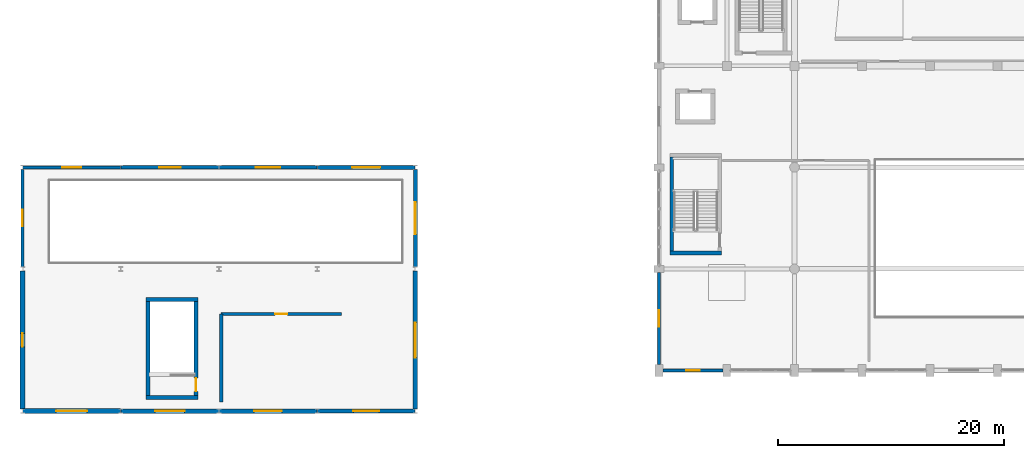
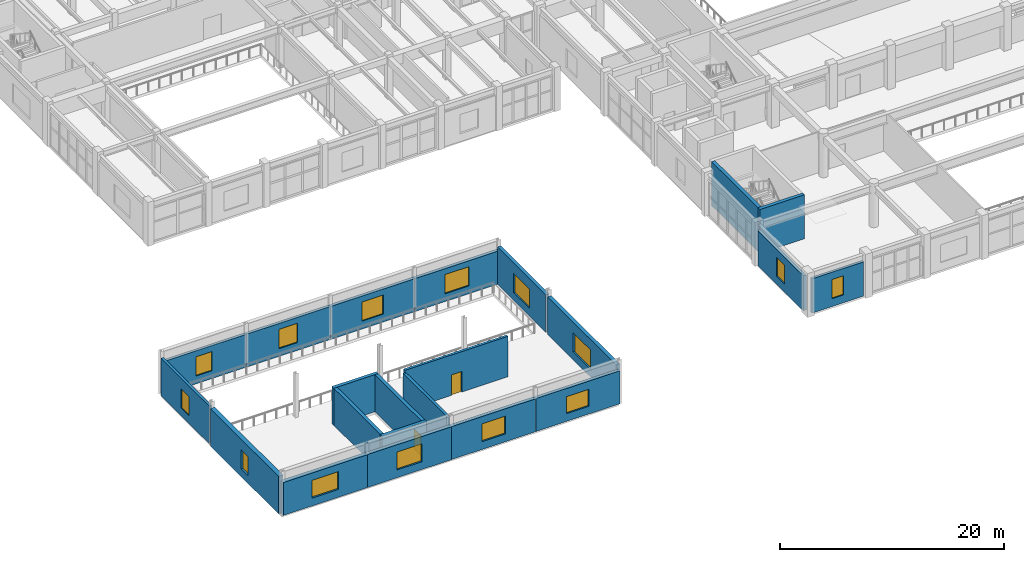
# One storey, part 67 of 96: 22 walls, 14 windows, 2 doors, 16 openings.
"""IFC4 building model written with IfcOpenShell, lengths in metres."""

from ifc_helpers import new_model, si_unit, direction, frame, frame_2d, origin, place, context, subcontext, project, spatial, rectangle, extrude, material, layer, layer_set, type_object, element, fill, save


model = new_model("IFC4")

# Units and contexts
model_context = context("Model", 3, precision=1e-05, world=origin(), true_north=direction((0.0, 1.0)))
body_context = subcontext(model_context, "Body", "Model", "MODEL_VIEW")
ifc_project = project(units=[si_unit("LENGTHUNIT", "METRE"), si_unit("AREAUNIT", "SQUARE_METRE"), si_unit("VOLUMEUNIT", "CUBIC_METRE"), si_unit("PLANEANGLEUNIT", "RADIAN"), si_unit("MASSUNIT", "GRAM", prefix="KILO")], contexts=[model_context])

# Site, building, storey
site_placement = place(None, origin())
site = spatial("IfcSite", under=ifc_project, at=site_placement, CompositionType="ELEMENT")
building_placement = place(site_placement, origin())
building = spatial("IfcBuilding", under=site, at=building_placement, Name="Vaelkrest Opera House", CompositionType="ELEMENT")
storey_placement = place(building_placement, frame((0.0, 0.0, 5.39990234375)))
storey = spatial("IfcBuildingStorey", under=building, at=storey_placement, Name="L01", CompositionType="ELEMENT", Elevation=5.39990234375)

# Wall, opening, window
ifc_material_1 = material(Name="Douglas fir glulam GL28h", Category="wood")
ifc_layer_1 = layer(ifc_material_1, 0.2548828125)
ifc_layer_set_1 = layer_set([ifc_layer_1], Name="Douglas fir glulam GL28h")
wall_type_1 = type_object("IfcWallType", Name="EW01", PredefinedType="STANDARD", material=ifc_layer_set_1)
wall_1_placement = place(storey_placement, frame((-86.39990234375, -46.6201171875, 0.0), z_axis=(0.0, 0.0, 1.0), x_axis=(0.0, 1.0, 0.0)))
wall_1 = element("IfcWall", 1, at=wall_1_placement, inside=storey, type_object=wall_type_1, Name="Exterior facade wall EW-V5-L01-0321", PredefinedType="STANDARD", context=body_context, shape_type="SweptSolid", body=[
    extrude(rectangle(XDim=8.64013671875, YDim=0.2548828125, at=frame_2d((4.320068359375, 0.0))), origin(), (0.0, 0.0, 1.0), 4.09521484375),
])
opening_1_placement = place(wall_1_placement, frame((3.594970703125, 0.0, 0.85009765625)))
opening_1 = element("IfcOpeningElement", 2, at=opening_1_placement, cuts=wall_1, Name="Opening WN196", PredefinedType="OPENING", context=body_context, shape_type="SweptSolid", body=[
    extrude(rectangle(XDim=1.449951171875, YDim=2.10009765625, at=frame_2d((0.72509765625, 1.050048828125))), frame((0.0, 0.137451171875, 0.0), z_axis=(0.0, -1.0, 0.0), x_axis=(1.0, 0.0, 0.0)), (0.0, 0.0, 1.0), 0.27490234375),
])
ifc_material_2 = material(Name="Double low-E insulated glazing", Category="glass")
window_type_1 = type_object("IfcWindowType", Name="WT14", PartitioningType="SINGLE_PANEL", PredefinedType="WINDOW", material=ifc_material_2)
window_1_placement = place(opening_1_placement, origin())
window_1 = element("IfcWindow", 3, at=window_1_placement, inside=storey, type_object=window_type_1, Name="Facade window WN196", OverallHeight=2.10009765625, OverallWidth=1.449951171875, PartitioningType="SINGLE_PANEL", PredefinedType="WINDOW", context=body_context, shape_type="SweptSolid", body=[
    extrude(rectangle(XDim=1.449951171875, YDim=2.10009765625, at=frame_2d((0.72509765625, 1.050048828125))), frame((0.0, 0.030029296875, 0.0), z_axis=(0.0, -1.0, 0.0), x_axis=(1.0, 0.0, 0.0)), (0.0, 0.0, 1.0), 0.06005859375),
])
fill(opening_1, window_1)

ifc_layer_2 = layer(ifc_material_1, 0.27490234375)
ifc_layer_set_2 = layer_set([ifc_layer_2], Name="Douglas fir glulam GL28h")
wall_type_2 = type_object("IfcWallType", Name="EW02", PredefinedType="STANDARD", material=ifc_layer_set_2)
wall_2_placement = place(storey_placement, frame((-24.347900390625, -55.800048828125, 0.0), z_axis=(0.0, 0.0, 1.0), x_axis=(-1.0, 0.0, 0.0)))
wall_2 = element("IfcWall", 4, at=wall_2_placement, inside=storey, type_object=wall_type_2, Name="Exterior facade wall EW-V1-L01-0032", PredefinedType="STANDARD", context=body_context, shape_type="SweptSolid", body=[
    extrude(rectangle(XDim=5.30419921875, YDim=0.27490234375, at=frame_2d((2.652099609375, 0.0))), origin(), (0.0, 0.0, 1.0), 3.739990234375),
])
opening_2_placement = place(wall_2_placement, frame((2.052001953125, 0.0, 0.85009765625)))
opening_2 = element("IfcOpeningElement", 5, at=opening_2_placement, cuts=wall_2, Name="Opening WN013", PredefinedType="OPENING", context=body_context, shape_type="SweptSolid", body=[
    extrude(rectangle(XDim=1.199951171875, YDim=2.10009765625, at=frame_2d((0.60009765625, 1.050048828125))), frame((0.0, 0.1474609375, 0.0), z_axis=(0.0, -1.0, 0.0), x_axis=(1.0, 0.0, 0.0)), (0.0, 0.0, 1.0), 0.294921875),
])
window_type_2 = type_object("IfcWindowType", Name="WT13", PartitioningType="SINGLE_PANEL", PredefinedType="WINDOW", material=ifc_material_2)
window_2_placement = place(opening_2_placement, origin())
window_2 = element("IfcWindow", 6, at=window_2_placement, inside=storey, type_object=window_type_2, Name="Facade window WN013", OverallHeight=2.10009765625, OverallWidth=1.199951171875, PartitioningType="SINGLE_PANEL", PredefinedType="WINDOW", context=body_context, shape_type="SweptSolid", body=[
    extrude(rectangle(XDim=1.199951171875, YDim=2.10009765625, at=frame_2d((0.60009765625, 1.050048828125))), frame((0.0, 0.030029296875, 0.0), z_axis=(0.0, -1.0, 0.0), x_axis=(1.0, 0.0, 0.0)), (0.0, 0.0, 1.0), 0.06005859375),
])
fill(opening_2, window_2)

wall_3_placement = place(storey_placement, frame((-86.389892578125, -37.800048828125, 0.0), z_axis=(0.0, 0.0, 1.0), x_axis=(1.0, 0.0, 0.0)))
wall_3 = element("IfcWall", 7, at=wall_3_placement, inside=storey, type_object=wall_type_2, Name="Exterior facade wall EW-V5-L01-0322", PredefinedType="STANDARD", context=body_context, shape_type="SweptSolid", body=[
    extrude(rectangle(XDim=8.679931640625, YDim=0.27490234375, at=frame_2d((4.33984375, 0.0))), origin(), (0.0, 0.0, 1.0), 3.59716796875),
])
opening_3_placement = place(wall_3_placement, frame((3.514892578125, 0.0, 0.85009765625)))
opening_3 = element("IfcOpeningElement", 8, at=opening_3_placement, cuts=wall_3, Name="Opening WN197", PredefinedType="OPENING", context=body_context, shape_type="SweptSolid", body=[
    extrude(rectangle(XDim=1.64990234375, YDim=2.10009765625, at=frame_2d((0.824951171875, 1.050048828125))), frame((0.0, 0.1474609375, 0.0), z_axis=(0.0, -1.0, 0.0), x_axis=(1.0, 0.0, 0.0)), (0.0, 0.0, 1.0), 0.294921875),
])
window_type_3 = type_object("IfcWindowType", Name="WT15", PartitioningType="SINGLE_PANEL", PredefinedType="WINDOW", material=ifc_material_2)
window_3_placement = place(opening_3_placement, origin())
window_3 = element("IfcWindow", 9, at=window_3_placement, inside=storey, type_object=window_type_3, Name="Facade window WN197", OverallHeight=2.10009765625, OverallWidth=1.64990234375, PartitioningType="SINGLE_PANEL", PredefinedType="WINDOW", context=body_context, shape_type="SweptSolid", body=[
    extrude(rectangle(XDim=1.64990234375, YDim=2.10009765625, at=frame_2d((0.824951171875, 1.050048828125))), frame((0.0, 0.030029296875, 0.0), z_axis=(0.0, -1.0, 0.0), x_axis=(1.0, 0.0, 0.0)), (0.0, 0.0, 1.0), 0.06005859375),
])
fill(opening_3, window_3)

ifc_layer_3 = layer(ifc_material_1, 0.294921875)
ifc_layer_set_3 = layer_set([ifc_layer_3], Name="Douglas fir glulam GL28h")
wall_type_3 = type_object("IfcWallType", Name="EW03", PredefinedType="STANDARD", material=ifc_layer_set_3)
wall_4_placement = place(storey_placement, frame((-30.0, -55.251953125, 0.0), z_axis=(0.0, 0.0, 1.0), x_axis=(0.0, 1.0, 0.0)))
wall_4 = element("IfcWall", 10, at=wall_4_placement, inside=storey, type_object=wall_type_3, Name="Exterior facade wall EW-V1-L01-0033", PredefinedType="STANDARD", context=body_context, shape_type="SweptSolid", body=[
    extrude(rectangle(XDim=8.154052734375, YDim=0.294921875, at=frame_2d((4.0771484375, 0.0))), origin(), (0.0, 0.0, 1.0), 3.82421875),
])
opening_4_placement = place(wall_4_placement, frame((3.35205078125, 0.0, 0.85009765625)))
opening_4 = element("IfcOpeningElement", 11, at=opening_4_placement, cuts=wall_4, Name="Opening WN014", PredefinedType="OPENING", context=body_context, shape_type="SweptSolid", body=[
    extrude(rectangle(XDim=1.449951171875, YDim=2.10009765625, at=frame_2d((0.72509765625, 1.050048828125))), frame((0.0, 0.157470703125, 0.0), z_axis=(0.0, -1.0, 0.0), x_axis=(1.0, 0.0, 0.0)), (0.0, 0.0, 1.0), 0.31494140625),
])
window_4_placement = place(opening_4_placement, origin())
window_4 = element("IfcWindow", 12, at=window_4_placement, inside=storey, type_object=window_type_1, Name="Facade window WN014", OverallHeight=2.10009765625, OverallWidth=1.449951171875, PartitioningType="SINGLE_PANEL", PredefinedType="WINDOW", context=body_context, shape_type="SweptSolid", body=[
    extrude(rectangle(XDim=1.449951171875, YDim=2.10009765625, at=frame_2d((0.72509765625, 1.050048828125))), frame((0.0, 0.030029296875, 0.0), z_axis=(0.0, -1.0, 0.0), x_axis=(1.0, 0.0, 0.0)), (0.0, 0.0, 1.0), 0.06005859375),
])
fill(opening_4, window_4)

wall_5_placement = place(storey_placement, frame((-77.68994140625, -37.800048828125, 0.0), z_axis=(0.0, 0.0, 1.0), x_axis=(1.0, 0.0, 0.0)))
wall_5 = element("IfcWall", 13, at=wall_5_placement, inside=storey, type_object=wall_type_3, Name="Exterior facade wall EW-V5-L01-0323", PredefinedType="STANDARD", context=body_context, shape_type="SweptSolid", body=[
    extrude(rectangle(XDim=8.679931640625, YDim=0.294921875, at=frame_2d((4.33984375, 0.0))), origin(), (0.0, 0.0, 1.0), 3.59716796875),
])
opening_5_placement = place(wall_5_placement, frame((3.389892578125, 0.0, 0.85009765625)))
opening_5 = element("IfcOpeningElement", 14, at=opening_5_placement, cuts=wall_5, Name="Opening WN198", PredefinedType="OPENING", context=body_context, shape_type="SweptSolid", body=[
    extrude(rectangle(XDim=1.89990234375, YDim=2.10009765625, at=frame_2d((0.949951171875, 1.050048828125))), frame((0.0, 0.157470703125, 0.0), z_axis=(0.0, -1.0, 0.0), x_axis=(1.0, 0.0, 0.0)), (0.0, 0.0, 1.0), 0.31494140625),
])
window_type_4 = type_object("IfcWindowType", Name="WT16", PartitioningType="SINGLE_PANEL", PredefinedType="WINDOW", material=ifc_material_2)
window_5_placement = place(opening_5_placement, origin())
window_5 = element("IfcWindow", 15, at=window_5_placement, inside=storey, type_object=window_type_4, Name="Facade window WN198", OverallHeight=2.10009765625, OverallWidth=1.89990234375, PartitioningType="SINGLE_PANEL", PredefinedType="WINDOW", context=body_context, shape_type="SweptSolid", body=[
    extrude(rectangle(XDim=1.89990234375, YDim=2.10009765625, at=frame_2d((0.949951171875, 1.050048828125))), frame((0.0, 0.030029296875, 0.0), z_axis=(0.0, -1.0, 0.0), x_axis=(1.0, 0.0, 0.0)), (0.0, 0.0, 1.0), 0.06005859375),
])
fill(opening_5, window_5)

ifc_material_3 = material(Name="American black walnut acoustic timber", Category="wood")
ifc_layer_4 = layer(ifc_material_3, 0.31494140625)
ifc_layer_set_4 = layer_set([ifc_layer_4], Name="American black walnut acoustic timber")
wall_type_4 = type_object("IfcWallType", Name="EW04", PredefinedType="STANDARD", material=ifc_layer_set_4)
wall_6_placement = place(storey_placement, frame((-68.989990234375, -37.800048828125, 0.0), z_axis=(0.0, 0.0, 1.0), x_axis=(1.0, 0.0, 0.0)))
wall_6 = element("IfcWall", 16, at=wall_6_placement, inside=storey, type_object=wall_type_4, Name="Exterior facade wall EW-V5-L01-0324", PredefinedType="STANDARD", context=body_context, shape_type="SweptSolid", body=[
    extrude(rectangle(XDim=8.679931640625, YDim=0.31494140625, at=frame_2d((4.33984375, 0.0))), origin(), (0.0, 0.0, 1.0), 3.59716796875),
])
opening_6_placement = place(wall_6_placement, frame((3.239990234375, 0.0, 0.85009765625)))
opening_6 = element("IfcOpeningElement", 17, at=opening_6_placement, cuts=wall_6, Name="Opening WN199", PredefinedType="OPENING", context=body_context, shape_type="SweptSolid", body=[
    extrude(rectangle(XDim=2.199951171875, YDim=2.10009765625, at=frame_2d((1.10009765625, 1.050048828125))), frame((0.0, 0.16748046875, 0.0), z_axis=(0.0, -1.0, 0.0), x_axis=(1.0, 0.0, 0.0)), (0.0, 0.0, 1.0), 0.3349609375),
])
window_type_5 = type_object("IfcWindowType", Name="WT17", PartitioningType="SINGLE_PANEL", PredefinedType="WINDOW", material=ifc_material_2)
window_6_placement = place(opening_6_placement, origin())
window_6 = element("IfcWindow", 18, at=window_6_placement, inside=storey, type_object=window_type_5, Name="Facade window WN199", OverallHeight=2.10009765625, OverallWidth=2.199951171875, PartitioningType="SINGLE_PANEL", PredefinedType="WINDOW", context=body_context, shape_type="SweptSolid", body=[
    extrude(rectangle(XDim=2.199951171875, YDim=2.10009765625, at=frame_2d((1.10009765625, 1.050048828125))), frame((0.0, 0.030029296875, 0.0), z_axis=(0.0, -1.0, 0.0), x_axis=(1.0, 0.0, 0.0)), (0.0, 0.0, 1.0), 0.06005859375),
])
fill(opening_6, window_6)

ifc_layer_5 = layer(ifc_material_3, 0.3349609375)
ifc_layer_set_5 = layer_set([ifc_layer_5], Name="American black walnut acoustic timber")
wall_type_5 = type_object("IfcWallType", Name="EW05", PredefinedType="STANDARD", material=ifc_layer_set_5)
wall_7_placement = place(storey_placement, frame((-60.2900390625, -37.800048828125, 0.0), z_axis=(0.0, 0.0, 1.0), x_axis=(1.0, 0.0, 0.0)))
wall_7 = element("IfcWall", 19, at=wall_7_placement, inside=storey, type_object=wall_type_5, Name="Exterior facade wall EW-V5-L01-0325", PredefinedType="STANDARD", context=body_context, shape_type="SweptSolid", body=[
    extrude(rectangle(XDim=8.679931640625, YDim=0.3349609375, at=frame_2d((4.33984375, 0.0))), origin(), (0.0, 0.0, 1.0), 3.59716796875),
])
opening_7_placement = place(wall_7_placement, frame((3.090087890625, 0.0, 0.85009765625)))
opening_7 = element("IfcOpeningElement", 20, at=opening_7_placement, cuts=wall_7, Name="Opening WN200", PredefinedType="OPENING", context=body_context, shape_type="SweptSolid", body=[
    extrude(rectangle(XDim=2.5, YDim=2.10009765625, at=frame_2d((1.25, 1.050048828125))), frame((0.0, 0.177490234375, 0.0), z_axis=(0.0, -1.0, 0.0), x_axis=(1.0, 0.0, 0.0)), (0.0, 0.0, 1.0), 0.35498046875),
])
window_type_6 = type_object("IfcWindowType", Name="WT18", PartitioningType="SINGLE_PANEL", PredefinedType="WINDOW", material=ifc_material_2)
window_7_placement = place(opening_7_placement, origin())
window_7 = element("IfcWindow", 21, at=window_7_placement, inside=storey, type_object=window_type_6, Name="Facade window WN200", OverallHeight=2.10009765625, OverallWidth=2.5, PartitioningType="SINGLE_PANEL", PredefinedType="WINDOW", context=body_context, shape_type="SweptSolid", body=[
    extrude(rectangle(XDim=2.5, YDim=2.10009765625, at=frame_2d((1.25, 1.050048828125))), frame((0.0, 0.030029296875, 0.0), z_axis=(0.0, -1.0, 0.0), x_axis=(1.0, 0.0, 0.0)), (0.0, 0.0, 1.0), 0.06005859375),
])
fill(opening_7, window_7)

ifc_layer_6 = layer(ifc_material_3, 0.360107421875)
ifc_layer_set_6 = layer_set([ifc_layer_6], Name="American black walnut acoustic timber")
wall_type_6 = type_object("IfcWallType", Name="EW06", PredefinedType="STANDARD", material=ifc_layer_set_6)
wall_8_placement = place(storey_placement, frame((-51.610107421875, -59.39990234375, 0.0), z_axis=(0.0, 0.0, 1.0), x_axis=(-1.0, 0.0, 0.0)))
wall_8 = element("IfcWall", 22, at=wall_8_placement, inside=storey, type_object=wall_type_6, Name="Exterior facade wall EW-V5-L01-0316", PredefinedType="STANDARD", context=body_context, shape_type="SweptSolid", body=[
    extrude(rectangle(XDim=8.679931640625, YDim=0.360107421875, at=frame_2d((4.33984375, 0.0))), origin(), (0.0, 0.0, 1.0), 3.59716796875),
])
opening_8_placement = place(wall_8_placement, frame((3.18994140625, 0.0, 0.85009765625)))
opening_8 = element("IfcOpeningElement", 23, at=opening_8_placement, cuts=wall_8, Name="Opening WN191", PredefinedType="OPENING", context=body_context, shape_type="SweptSolid", body=[
    extrude(rectangle(XDim=2.300048828125, YDim=1.85009765625, at=frame_2d((1.14990234375, 0.925048828125))), frame((0.0, 0.18994140625, 0.0), z_axis=(0.0, -1.0, 0.0), x_axis=(1.0, 0.0, 0.0)), (0.0, 0.0, 1.0), 0.380126953125),
])
window_type_7 = type_object("IfcWindowType", Name="WT09", PartitioningType="SINGLE_PANEL", PredefinedType="WINDOW", material=ifc_material_2)
window_8_placement = place(opening_8_placement, origin())
window_8 = element("IfcWindow", 24, at=window_8_placement, inside=storey, type_object=window_type_7, Name="Facade window WN191", OverallHeight=1.85009765625, OverallWidth=2.300048828125, PartitioningType="SINGLE_PANEL", PredefinedType="WINDOW", context=body_context, shape_type="SweptSolid", body=[
    extrude(rectangle(XDim=2.300048828125, YDim=1.85009765625, at=frame_2d((1.14990234375, 0.925048828125))), frame((0.0, 0.030029296875, 0.0), z_axis=(0.0, -1.0, 0.0), x_axis=(1.0, 0.0, 0.0)), (0.0, 0.0, 1.0), 0.06005859375),
])
fill(opening_8, window_8)

wall_9_placement = place(storey_placement, frame((-51.60009765625, -37.97998046875, 0.0), z_axis=(0.0, 0.0, 1.0), x_axis=(0.0, -1.0, 0.0)))
wall_9 = element("IfcWall", 25, at=wall_9_placement, inside=storey, type_object=wall_type_6, Name="Exterior facade wall EW-V5-L01-0326", PredefinedType="STANDARD", context=body_context, shape_type="SweptSolid", body=[
    extrude(rectangle(XDim=8.64013671875, YDim=0.360107421875, at=frame_2d((4.320068359375, 0.0))), origin(), (0.0, 0.0, 1.0), 4.09521484375),
])
opening_9_placement = place(wall_9_placement, frame((2.89501953125, 0.0, 0.85009765625)))
opening_9 = element("IfcOpeningElement", 26, at=opening_9_placement, cuts=wall_9, Name="Opening WN201", PredefinedType="OPENING", context=body_context, shape_type="SweptSolid", body=[
    extrude(rectangle(XDim=2.85009765625, YDim=2.10009765625, at=frame_2d((1.425048828125, 1.050048828125))), frame((0.0, 0.18994140625, 0.0), z_axis=(0.0, -1.0, 0.0), x_axis=(1.0, 0.0, 0.0)), (0.0, 0.0, 1.0), 0.380126953125),
])
window_type_8 = type_object("IfcWindowType", Name="WT19", PartitioningType="SINGLE_PANEL", PredefinedType="WINDOW", material=ifc_material_2)
window_9_placement = place(opening_9_placement, origin())
window_9 = element("IfcWindow", 27, at=window_9_placement, inside=storey, type_object=window_type_8, Name="Facade window WN201", OverallHeight=2.10009765625, OverallWidth=2.85009765625, PartitioningType="SINGLE_PANEL", PredefinedType="WINDOW", context=body_context, shape_type="SweptSolid", body=[
    extrude(rectangle(XDim=2.85009765625, YDim=2.10009765625, at=frame_2d((1.425048828125, 1.050048828125))), frame((0.0, 0.030029296875, 0.0), z_axis=(0.0, -1.0, 0.0), x_axis=(1.0, 0.0, 0.0)), (0.0, 0.0, 1.0), 0.06005859375),
])
fill(opening_9, window_9)

ifc_material_4 = material(Name="Concrete C40/50", Category="concrete")
ifc_layer_7 = layer(ifc_material_4, 0.385009765625)
ifc_layer_set_7 = layer_set([ifc_layer_7], Name="Concrete C40/50")
wall_type_7 = type_object("IfcWallType", Name="EW07", PredefinedType="STANDARD", material=ifc_layer_set_7)
wall_10_placement = place(storey_placement, frame((-60.31005859375, -59.39990234375, 0.0), z_axis=(0.0, 0.0, 1.0), x_axis=(-1.0, 0.0, 0.0)))
wall_10 = element("IfcWall", 28, at=wall_10_placement, inside=storey, type_object=wall_type_7, Name="Exterior facade wall EW-V5-L01-0317", PredefinedType="STANDARD", context=body_context, shape_type="SweptSolid", body=[
    extrude(rectangle(XDim=8.679931640625, YDim=0.385009765625, at=frame_2d((4.33984375, 0.0))), origin(), (0.0, 0.0, 1.0), 3.59716796875),
])
opening_10_placement = place(wall_10_placement, frame((3.114990234375, 0.0, 0.85009765625)))
opening_10 = element("IfcOpeningElement", 29, at=opening_10_placement, cuts=wall_10, Name="Opening WN192", PredefinedType="OPENING", context=body_context, shape_type="SweptSolid", body=[
    extrude(rectangle(XDim=2.449951171875, YDim=1.949951171875, at=frame_2d((1.22509765625, 0.97509765625))), frame((0.0, 0.202392578125, 0.0), z_axis=(0.0, -1.0, 0.0), x_axis=(1.0, 0.0, 0.0)), (0.0, 0.0, 1.0), 0.405029296875),
])
window_type_9 = type_object("IfcWindowType", Name="WT10", PartitioningType="SINGLE_PANEL", PredefinedType="WINDOW", material=ifc_material_2)
window_10_placement = place(opening_10_placement, origin())
window_10 = element("IfcWindow", 30, at=window_10_placement, inside=storey, type_object=window_type_9, Name="Facade window WN192", OverallHeight=1.949951171875, OverallWidth=2.449951171875, PartitioningType="SINGLE_PANEL", PredefinedType="WINDOW", context=body_context, shape_type="SweptSolid", body=[
    extrude(rectangle(XDim=2.449951171875, YDim=1.949951171875, at=frame_2d((1.22509765625, 0.97509765625))), frame((0.0, 0.030029296875, 0.0), z_axis=(0.0, -1.0, 0.0), x_axis=(1.0, 0.0, 0.0)), (0.0, 0.0, 1.0), 0.06005859375),
])
fill(opening_10, window_10)

wall_11_placement = place(storey_placement, frame((-51.60009765625, -46.97998046875, 0.0), z_axis=(0.0, 0.0, 1.0), x_axis=(0.0, -1.0, 0.0)))
wall_11 = element("IfcWall", 31, at=wall_11_placement, inside=storey, type_object=wall_type_7, Name="Exterior facade wall EW-V5-L01-0327", PredefinedType="STANDARD", context=body_context, shape_type="SweptSolid", body=[
    extrude(rectangle(XDim=12.239990234375, YDim=0.385009765625, at=frame_2d((6.1201171875, 0.0))), origin(), (0.0, 0.0, 1.0), 4.09521484375),
])
opening_11_placement = place(wall_11_placement, frame((4.570068359375, 0.0, 0.85009765625)))
opening_11 = element("IfcOpeningElement", 32, at=opening_11_placement, cuts=wall_11, Name="Opening WN202", PredefinedType="OPENING", context=body_context, shape_type="SweptSolid", body=[
    extrude(rectangle(XDim=3.10009765625, YDim=2.10009765625, at=frame_2d((1.550048828125, 1.050048828125))), frame((0.0, 0.202392578125, 0.0), z_axis=(0.0, -1.0, 0.0), x_axis=(1.0, 0.0, 0.0)), (0.0, 0.0, 1.0), 0.405029296875),
])
window_type_10 = type_object("IfcWindowType", Name="WT20", PartitioningType="SINGLE_PANEL", PredefinedType="WINDOW", material=ifc_material_2)
window_11_placement = place(opening_11_placement, origin())
window_11 = element("IfcWindow", 33, at=window_11_placement, inside=storey, type_object=window_type_10, Name="Facade window WN202", OverallHeight=2.10009765625, OverallWidth=3.10009765625, PartitioningType="SINGLE_PANEL", PredefinedType="WINDOW", context=body_context, shape_type="SweptSolid", body=[
    extrude(rectangle(XDim=3.10009765625, YDim=2.10009765625, at=frame_2d((1.550048828125, 1.050048828125))), frame((0.0, 0.030029296875, 0.0), z_axis=(0.0, -1.0, 0.0), x_axis=(1.0, 0.0, 0.0)), (0.0, 0.0, 1.0), 0.06005859375),
])
fill(opening_11, window_11)

ifc_layer_8 = layer(ifc_material_4, 0.409912109375)
ifc_layer_set_8 = layer_set([ifc_layer_8], Name="Concrete C40/50")
wall_type_8 = type_object("IfcWallType", Name="EW08", PredefinedType="STANDARD", material=ifc_layer_set_8)
wall_12_placement = place(storey_placement, frame((-69.010009765625, -59.39990234375, 0.0), z_axis=(0.0, 0.0, 1.0), x_axis=(-1.0, 0.0, 0.0)))
wall_12 = element("IfcWall", 34, at=wall_12_placement, inside=storey, type_object=wall_type_8, Name="Exterior facade wall EW-V5-L01-0318", PredefinedType="STANDARD", context=body_context, shape_type="SweptSolid", body=[
    extrude(rectangle(XDim=8.679931640625, YDim=0.409912109375, at=frame_2d((4.33984375, 0.0))), origin(), (0.0, 0.0, 1.0), 3.59716796875),
])
opening_12_placement = place(wall_12_placement, frame((3.0400390625, 0.0, 0.85009765625)))
opening_12 = element("IfcOpeningElement", 35, at=opening_12_placement, cuts=wall_12, Name="Opening WN193", PredefinedType="OPENING", context=body_context, shape_type="SweptSolid", body=[
    extrude(rectangle(XDim=2.60009765625, YDim=1.949951171875, at=frame_2d((1.300048828125, 0.97509765625))), frame((0.0, 0.21484375, 0.0), z_axis=(0.0, -1.0, 0.0), x_axis=(1.0, 0.0, 0.0)), (0.0, 0.0, 1.0), 0.429931640625),
])
window_type_11 = type_object("IfcWindowType", Name="WT11", PartitioningType="SINGLE_PANEL", PredefinedType="WINDOW", material=ifc_material_2)
window_12_placement = place(opening_12_placement, origin())
window_12 = element("IfcWindow", 36, at=window_12_placement, inside=storey, type_object=window_type_11, Name="Facade window WN193", OverallHeight=1.949951171875, OverallWidth=2.60009765625, PartitioningType="SINGLE_PANEL", PredefinedType="WINDOW", context=body_context, shape_type="SweptSolid", body=[
    extrude(rectangle(XDim=2.60009765625, YDim=1.949951171875, at=frame_2d((1.300048828125, 0.97509765625))), frame((0.0, 0.030029296875, 0.0), z_axis=(0.0, -1.0, 0.0), x_axis=(1.0, 0.0, 0.0)), (0.0, 0.0, 1.0), 0.06005859375),
])
fill(opening_12, window_12)

ifc_layer_9 = layer(ifc_material_4, 0.43505859375)
ifc_layer_set_9 = layer_set([ifc_layer_9], Name="Concrete C40/50")
wall_type_9 = type_object("IfcWallType", Name="EW09", PredefinedType="STANDARD", material=ifc_layer_set_9)
wall_13_placement = place(storey_placement, frame((-77.7099609375, -59.39990234375, 0.0), z_axis=(0.0, 0.0, 1.0), x_axis=(-1.0, 0.0, 0.0)))
wall_13 = element("IfcWall", 37, at=wall_13_placement, inside=storey, type_object=wall_type_9, Name="Exterior facade wall EW-V5-L01-0319", PredefinedType="STANDARD", context=body_context, shape_type="SweptSolid", body=[
    extrude(rectangle(XDim=8.679931640625, YDim=0.43505859375, at=frame_2d((4.33984375, 0.0))), origin(), (0.0, 0.0, 1.0), 3.59716796875),
])
opening_13_placement = place(wall_13_placement, frame((2.965087890625, 0.0, 0.85009765625)))
opening_13 = element("IfcOpeningElement", 38, at=opening_13_placement, cuts=wall_13, Name="Opening WN194", PredefinedType="OPENING", context=body_context, shape_type="SweptSolid", body=[
    extrude(rectangle(XDim=2.75, YDim=1.949951171875, at=frame_2d((1.375, 0.97509765625))), frame((0.0, 0.2275390625, 0.0), z_axis=(0.0, -1.0, 0.0), x_axis=(1.0, 0.0, 0.0)), (0.0, 0.0, 1.0), 0.455078125),
])
window_type_12 = type_object("IfcWindowType", Name="WT12", PartitioningType="SINGLE_PANEL", PredefinedType="WINDOW", material=ifc_material_2)
window_13_placement = place(opening_13_placement, origin())
window_13 = element("IfcWindow", 39, at=window_13_placement, inside=storey, type_object=window_type_12, Name="Facade window WN194", OverallHeight=1.949951171875, OverallWidth=2.75, PartitioningType="SINGLE_PANEL", PredefinedType="WINDOW", context=body_context, shape_type="SweptSolid", body=[
    extrude(rectangle(XDim=2.75, YDim=1.949951171875, at=frame_2d((1.375, 0.97509765625))), frame((0.0, 0.030029296875, 0.0), z_axis=(0.0, -1.0, 0.0), x_axis=(1.0, 0.0, 0.0)), (0.0, 0.0, 1.0), 0.06005859375),
])
fill(opening_13, window_13)

ifc_layer_10 = layer(ifc_material_4, 0.465087890625)
ifc_layer_set_10 = layer_set([ifc_layer_10], Name="Concrete C40/50")
wall_type_10 = type_object("IfcWallType", Name="EW10", PredefinedType="STANDARD", material=ifc_layer_set_10)
wall_14_placement = place(storey_placement, frame((-86.39990234375, -59.219970703125, 0.0), z_axis=(0.0, 0.0, 1.0), x_axis=(0.0, 1.0, 0.0)))
wall_14 = element("IfcWall", 40, at=wall_14_placement, inside=storey, type_object=wall_type_10, Name="Exterior facade wall EW-V5-L01-0320", PredefinedType="STANDARD", context=body_context, shape_type="SweptSolid", body=[
    extrude(rectangle(XDim=12.239990234375, YDim=0.465087890625, at=frame_2d((6.1201171875, 0.0))), origin(), (0.0, 0.0, 1.0), 4.09521484375),
])
opening_14_placement = place(wall_14_placement, frame((5.52001953125, 0.0, 0.85009765625)))
opening_14 = element("IfcOpeningElement", 41, at=opening_14_placement, cuts=wall_14, Name="Opening WN195", PredefinedType="OPENING", context=body_context, shape_type="SweptSolid", body=[
    extrude(rectangle(XDim=1.199951171875, YDim=2.10009765625, at=frame_2d((0.60009765625, 1.050048828125))), frame((0.0, 0.242431640625, 0.0), z_axis=(0.0, -1.0, 0.0), x_axis=(1.0, 0.0, 0.0)), (0.0, 0.0, 1.0), 0.485107421875),
])
window_14_placement = place(opening_14_placement, origin())
window_14 = element("IfcWindow", 42, at=window_14_placement, inside=storey, type_object=window_type_2, Name="Facade window WN195", OverallHeight=2.10009765625, OverallWidth=1.199951171875, PartitioningType="SINGLE_PANEL", PredefinedType="WINDOW", context=body_context, shape_type="SweptSolid", body=[
    extrude(rectangle(XDim=1.199951171875, YDim=2.10009765625, at=frame_2d((0.60009765625, 1.050048828125))), frame((0.0, 0.030029296875, 0.0), z_axis=(0.0, -1.0, 0.0), x_axis=(1.0, 0.0, 0.0)), (0.0, 0.0, 1.0), 0.06005859375),
])
fill(opening_14, window_14)

# Wall, opening, door
ifc_layer_11 = layer(ifc_material_4, 0.260009765625)
ifc_layer_set_11 = layer_set([ifc_layer_11], Name="Concrete C40/50")
wall_type_11 = type_object("IfcWallType", Name="PT10", PredefinedType="PARTITIONING", material=ifc_layer_set_11)
wall_15_placement = place(storey_placement, frame((-68.800048828125, -50.800048828125, 0.0), z_axis=(0.0, 0.0, 1.0), x_axis=(1.0, 0.0, 0.0)))
wall_15 = element("IfcWall", 43, at=wall_15_placement, inside=storey, type_object=wall_type_11, Name="Interior partition PT-V5-L01-0416", PredefinedType="PARTITIONING", context=body_context, shape_type="SweptSolid", body=[
    extrude(rectangle(XDim=10.650146484375, YDim=0.260009765625, at=frame_2d((5.3251953125, 0.0))), origin(), (0.0, 0.0, 1.0), 4.420166015625),
])
opening_15_placement = place(wall_15_placement, frame((4.784912109375, 0.0, 0.0)))
opening_15 = element("IfcOpeningElement", 44, at=opening_15_placement, cuts=wall_15, Name="Opening D175", PredefinedType="OPENING", context=body_context, shape_type="SweptSolid", body=[
    extrude(rectangle(XDim=1.080078125, YDim=2.25, at=frame_2d((0.5400390625, 1.125))), frame((0.0, 0.139892578125, 0.0), z_axis=(0.0, -1.0, 0.0), x_axis=(1.0, 0.0, 0.0)), (0.0, 0.0, 1.0), 0.280029296875),
])
door_type_1 = type_object("IfcDoorType", Name="DT11", OperationType="NOTDEFINED", PredefinedType="DOOR", material=ifc_material_3)
door_1_placement = place(opening_15_placement, origin())
door_1 = element("IfcDoor", 45, at=door_1_placement, inside=storey, type_object=door_type_1, Name="Interior door D175 (Opera Cafe)", OperationType="SINGLE_SWING_LEFT", OverallHeight=2.25, OverallWidth=1.080078125, PredefinedType="DOOR", context=body_context, shape_type="SweptSolid", body=[
    extrude(rectangle(XDim=1.080078125, YDim=2.25, at=frame_2d((0.5400390625, 1.125))), frame((0.0, 0.02490234375, 0.0), z_axis=(0.0, -1.0, 0.0), x_axis=(1.0, 0.0, 0.0)), (0.0, 0.0, 1.0), 0.050048828125),
])
fill(opening_15, door_1)

# Walls
ifc_layer_12 = layer(ifc_material_4, 0.280029296875)
ifc_layer_set_12 = layer_set([ifc_layer_12], Name="Concrete C40/50")
wall_type_12 = type_object("IfcWallType", Name="PT11", PredefinedType="PARTITIONING", material=ifc_layer_set_12)
wall_16_placement = place(storey_placement, frame((-68.800048828125, -58.60009765625, 0.0), z_axis=(0.0, 0.0, 1.0), x_axis=(0.0, 1.0, 0.0)))
element("IfcWall", 46, at=wall_16_placement, inside=storey, type_object=wall_type_12, Name="Interior partition PT-V5-L01-0417", PredefinedType="PARTITIONING", context=body_context, shape_type="SweptSolid", body=[
    extrude(rectangle(XDim=7.800048828125, YDim=0.280029296875, at=frame_2d((3.89990234375, 0.0))), origin(), (0.0, 0.0, 1.0), 4.09521484375),
])
ifc_material_5 = material(Name="Concrete C50/60", Category="concrete")
ifc_layer_13 = layer(ifc_material_5, 0.35009765625)
ifc_layer_set_13 = layer_set([ifc_layer_13], Name="Concrete C50/60")
wall_type_13 = type_object("IfcWallType", Name="SW01", PredefinedType="SHEAR", material=ifc_layer_set_13)
wall_17_placement = place(storey_placement, frame((-24.449951171875, -45.375, 0.0), z_axis=(0.0, 0.0, 1.0), x_axis=(-1.0, 0.0, 0.0)))
element("IfcWall", 47, at=wall_17_placement, inside=storey, type_object=wall_type_13, Name="Stair core ST03 wall L01 S", PredefinedType="SHEAR", context=body_context, shape_type="SweptSolid", body=[
    extrude(rectangle(XDim=4.60009765625, YDim=0.35009765625, at=frame_2d((2.300048828125, 0.0))), origin(), (0.0, 0.0, 1.0), 4.800048828125),
])
wall_18_placement = place(storey_placement, frame((-28.875, -45.199951171875, 0.0), z_axis=(0.0, 0.0, 1.0), x_axis=(0.0, 1.0, 0.0)))
element("IfcWall", 48, at=wall_18_placement, inside=storey, type_object=wall_type_13, Name="Stair core ST03 wall L01 W", PredefinedType="SHEAR", context=body_context, shape_type="SweptSolid", body=[
    extrude(rectangle(XDim=8.300048828125, YDim=0.35009765625, at=frame_2d((4.14990234375, 0.0))), origin(), (0.0, 0.0, 1.0), 4.800048828125),
])
wall_19_placement = place(storey_placement, frame((-70.85009765625, -58.175048828125, 0.0), z_axis=(0.0, 0.0, 1.0), x_axis=(-1.0, 0.0, 0.0)))
element("IfcWall", 49, at=wall_19_placement, inside=storey, type_object=wall_type_13, Name="Stair core ST11 wall L01 S", PredefinedType="SHEAR", context=body_context, shape_type="SweptSolid", body=[
    extrude(rectangle(XDim=4.599853515625, YDim=0.35009765625, at=frame_2d((2.2998046875, 0.0))), origin(), (0.0, 0.0, 1.0), 4.045166015625),
])
wall_20_placement = place(storey_placement, frame((-75.27490234375, -58.0, 0.0), z_axis=(0.0, 0.0, 1.0), x_axis=(0.0, 1.0, 0.0)))
element("IfcWall", 50, at=wall_20_placement, inside=storey, type_object=wall_type_13, Name="Stair core ST11 wall L01 W", PredefinedType="SHEAR", context=body_context, shape_type="SweptSolid", body=[
    extrude(rectangle(XDim=8.300048828125, YDim=0.35009765625, at=frame_2d((4.14990234375, 0.0))), origin(), (0.0, 0.0, 1.0), 4.045166015625),
])
wall_21_placement = place(storey_placement, frame((-75.449951171875, -49.52490234375, 0.0), z_axis=(0.0, 0.0, 1.0), x_axis=(1.0, 0.0, 0.0)))
element("IfcWall", 51, at=wall_21_placement, inside=storey, type_object=wall_type_13, Name="Stair core ST11 wall L01 N", PredefinedType="SHEAR", context=body_context, shape_type="SweptSolid", body=[
    extrude(rectangle(XDim=4.599853515625, YDim=0.35009765625, at=frame_2d((2.2998046875, 0.0))), origin(), (0.0, 0.0, 1.0), 4.045166015625),
])

# Wall, opening, door
wall_22_placement = place(storey_placement, frame((-71.02490234375, -49.699951171875, 0.0), z_axis=(0.0, 0.0, 1.0), x_axis=(0.0, -1.0, 0.0)))
wall_22 = element("IfcWall", 52, at=wall_22_placement, inside=storey, type_object=wall_type_13, Name="Stair core ST11 wall L01 E", PredefinedType="SHEAR", context=body_context, shape_type="SweptSolid", body=[
    extrude(rectangle(XDim=8.300048828125, YDim=0.35009765625, at=frame_2d((4.14990234375, 0.0))), origin(), (0.0, 0.0, 1.0), 4.045166015625),
])
opening_16_placement = place(wall_22_placement, frame((6.77001953125, 0.0, 0.0)))
opening_16 = element("IfcOpeningElement", 53, at=opening_16_placement, cuts=wall_22, Name="Opening SD-ST11-L01", PredefinedType="OPENING", context=body_context, shape_type="SweptSolid", body=[
    extrude(rectangle(XDim=1.179931640625, YDim=2.14990234375, at=frame_2d((0.58984375, 1.074951171875))), frame((0.0, 0.18505859375, 0.0), z_axis=(0.0, -1.0, 0.0), x_axis=(1.0, 0.0, 0.0)), (0.0, 0.0, 1.0), 0.3701171875),
])
door_type_2 = type_object("IfcDoorType", Name="DT07", OperationType="NOTDEFINED", PredefinedType="DOOR", material=ifc_material_3)
door_2_placement = place(opening_16_placement, origin())
door_2 = element("IfcDoor", 54, at=door_2_placement, inside=storey, type_object=door_type_2, Name="Protected stair door SD-ST11-L01", OperationType="SINGLE_SWING_RIGHT", OverallHeight=2.14990234375, OverallWidth=1.179931640625, PredefinedType="DOOR", context=body_context, shape_type="SweptSolid", body=[
    extrude(rectangle(XDim=1.179931640625, YDim=2.14990234375, at=frame_2d((0.58984375, 1.074951171875))), frame((0.0, 0.02490234375, 0.0), z_axis=(0.0, -1.0, 0.0), x_axis=(1.0, 0.0, 0.0)), (0.0, 0.0, 1.0), 0.050048828125),
])
fill(opening_16, door_2)

save(model, "model.ifc")
